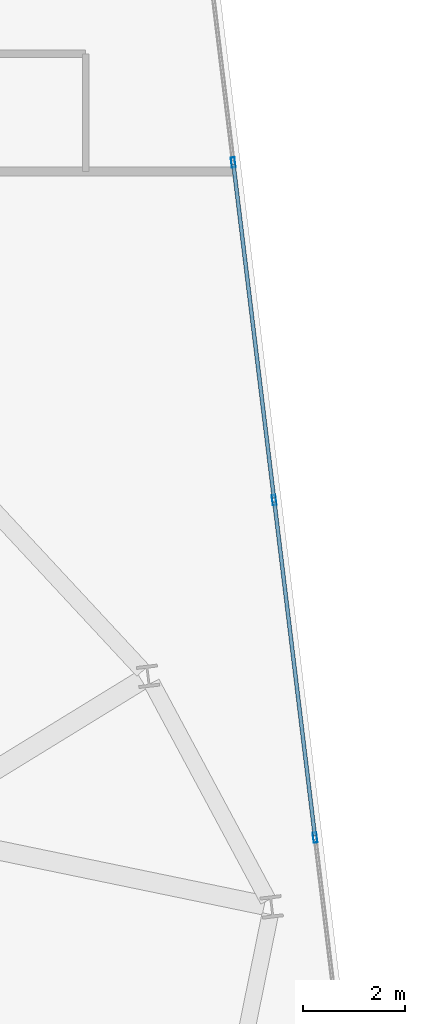
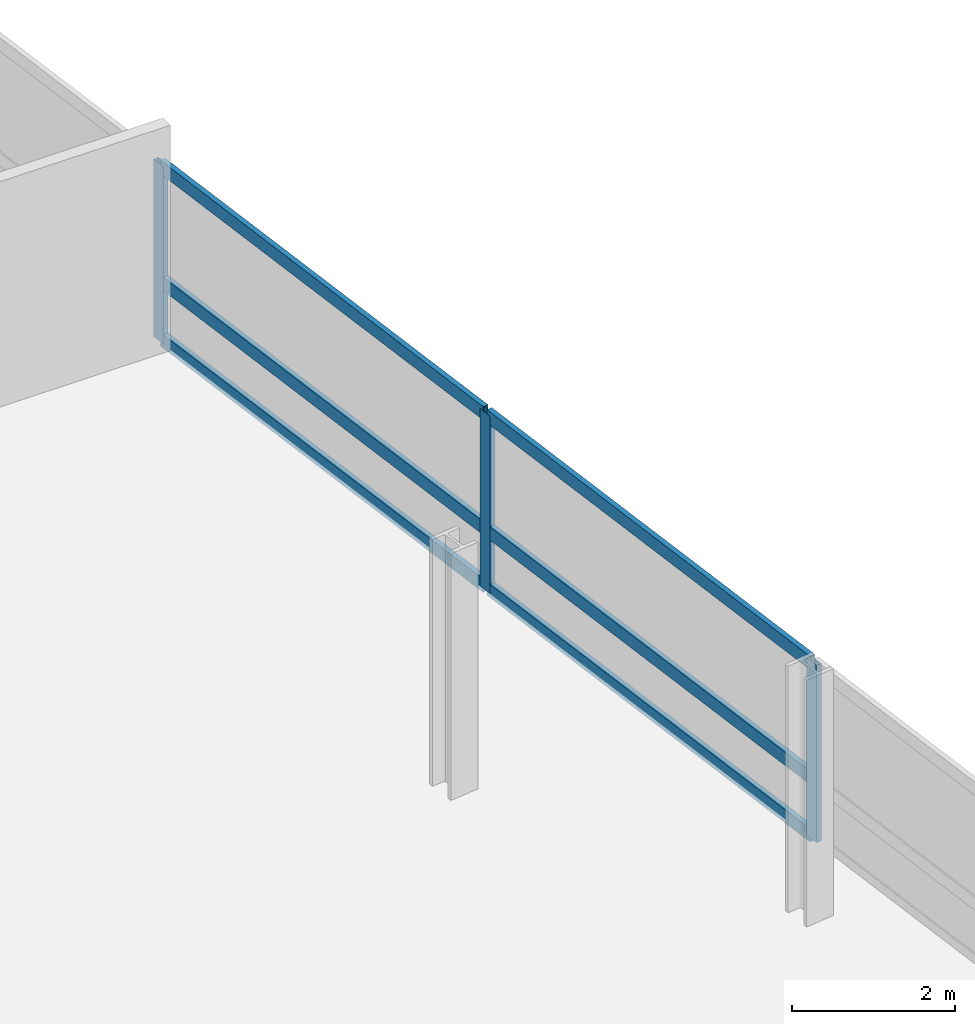
# One storey, part 11 of 22: 9 members, 1 element without a shape of its own.
"""IFC4 building model written with IfcOpenShell, lengths in metres."""

from ifc_helpers import new_model, si_unit, direction, frame, origin, origin_2d, place, context, subcontext, project, spatial, hollow_rectangle, extrude, material, layer, layer_set, material_profile, profile_set, type_object, element, aggregate, save


model = new_model("IFC4")

# Units and contexts
model_context = context("Model", 3, precision=1e-05, world=origin(), true_north=direction((0.0, 1.0)))
body_context = subcontext(model_context, "Body", "Model", "MODEL_VIEW")
ifc_project = project(units=[si_unit("LENGTHUNIT", "METRE"), si_unit("AREAUNIT", "SQUARE_METRE"), si_unit("VOLUMEUNIT", "CUBIC_METRE"), si_unit("PLANEANGLEUNIT", "RADIAN"), si_unit("MASSUNIT", "GRAM", prefix="KILO")], contexts=[model_context])

# Site, building, storey
site_placement = place(None, origin())
site = spatial("IfcSite", under=ifc_project, at=site_placement, CompositionType="ELEMENT")
building_placement = place(site_placement, origin())
building = spatial("IfcBuilding", under=site, at=building_placement, Name="Varnelok Gate Tower", CompositionType="ELEMENT")
storey_placement = place(building_placement, frame((0.0, 0.0, 204.199951171875)))
storey = spatial("IfcBuildingStorey", under=building, at=storey_placement, Name="L52", CompositionType="ELEMENT", Elevation=204.199951171875)

# Curtain wall, members
ifc_material = material(Name="Anodized Aluminum Alloy 6063-T6", Category="aluminium")
ifc_layer = layer(ifc_material, 0.179931640625)
ifc_layer_set = layer_set([ifc_layer], Name="Anodized Aluminum Alloy 6063-T6")
curtain_wall_type = type_object("IfcCurtainWallType", Name="CW4-RESIDENCE-VISION", PredefinedType="USERDEFINED", material=ifc_layer_set)
curtain_wall_placement = place(storey_placement, origin())
curtain_wall = element("IfcCurtainWall", 1, at=curtain_wall_placement, inside=storey, type_object=curtain_wall_type, Name="L52 East End Vision Curtain Wall", ObjectType="UNITISED CURTAIN WALL", PredefinedType="USERDEFINED")
ifc_material_profile_1 = material_profile(ifc_material, hollow_rectangle(XDim=0.074951171875, YDim=0.199951171875, WallThickness=0.00390625, at=origin_2d()), Name="ALU200X75X4")
ifc_profile_set_1 = profile_set([ifc_material_profile_1], Name="Anodized Aluminum Alloy 6063-T6")
member_type_1 = type_object("IfcMemberType", Name="CW-MULL-200", PredefinedType="MULLION", material=ifc_profile_set_1)
member_1_placement = place(storey_placement, frame((72.898681640625, 39.478515625, 0.0), z_axis=(0.0, 0.0, 1.0), x_axis=(0.992732188751, 0.120344511371, 0.0)))
member_1 = element("IfcMember", 2, at=member_1_placement, type_object=member_type_1, Name="CW4 mullion 2", PredefinedType="MULLION", context=body_context, shape_type="SweptSolid", body=[
    extrude(hollow_rectangle(XDim=0.074951171875, YDim=0.199951171875, WallThickness=0.00390625, at=origin_2d()), origin(), (0.0, 0.0, 1.0), 2.66015625),
])
member_2_placement = place(storey_placement, frame((73.702392578125, 32.846923828125, 0.0), z_axis=(0.0, 0.0, 1.0), x_axis=(0.992732188751, 0.120344511371, 0.0)))
member_2 = element("IfcMember", 3, at=member_2_placement, type_object=member_type_1, Name="CW4 mullion 3", PredefinedType="MULLION", context=body_context, shape_type="SweptSolid", body=[
    extrude(hollow_rectangle(XDim=0.074951171875, YDim=0.199951171875, WallThickness=0.00390625, at=origin_2d()), origin(), (0.0, 0.0, 1.0), 2.66015625),
])
member_3_placement = place(storey_placement, frame((74.50634765625, 26.215576171875, 0.0), z_axis=(0.0, 0.0, 1.0), x_axis=(0.992732188751, 0.120344511371, 0.0)))
member_3 = element("IfcMember", 4, at=member_3_placement, type_object=member_type_1, Name="CW4 mullion 4", PredefinedType="MULLION", context=body_context, shape_type="SweptSolid", body=[
    extrude(hollow_rectangle(XDim=0.074951171875, YDim=0.199951171875, WallThickness=0.00390625, at=origin_2d()), origin(), (0.0, 0.0, 1.0), 2.66015625),
])
ifc_material_profile_2 = material_profile(ifc_material, hollow_rectangle(XDim=0.074951171875, YDim=0.199951171875, WallThickness=0.00390625, at=origin_2d()), Name="ALU200X75X4")
ifc_profile_set_2 = profile_set([ifc_material_profile_2], Name="Anodized Aluminum Alloy 6063-T6")
member_type_2 = type_object("IfcMemberType", Name="CW-TRAN-200", PredefinedType="USERDEFINED", material=ifc_profile_set_2)
member_4_placement = place(storey_placement, frame((72.903076171875, 39.441162109375, 0.03759765625), z_axis=(0.120353445289, -0.992731105691, 0.0), x_axis=(0.992731105691, 0.120353445289, 0.0)))
member_4 = element("IfcMember", 5, at=member_4_placement, type_object=member_type_2, Name="CW4 transom 2.1", ObjectType="TRANSOM", PredefinedType="USERDEFINED", context=body_context, shape_type="SweptSolid", body=[
    extrude(hollow_rectangle(XDim=0.074951171875, YDim=0.199951171875, WallThickness=0.00390625, at=origin_2d()), origin(), (0.0, 0.0, 1.0), 6.60498046875),
])
member_5_placement = place(storey_placement, frame((72.903076171875, 39.441162109375, 0.900146484375), z_axis=(0.120353445289, -0.992731105691, 0.0), x_axis=(0.992731105691, 0.120353445289, 0.0)))
member_5 = element("IfcMember", 6, at=member_5_placement, type_object=member_type_2, Name="CW4 transom 2.2", ObjectType="TRANSOM", PredefinedType="USERDEFINED", context=body_context, shape_type="SweptSolid", body=[
    extrude(hollow_rectangle(XDim=0.074951171875, YDim=0.199951171875, WallThickness=0.00390625, at=origin_2d()), origin(), (0.0, 0.0, 1.0), 6.60498046875),
])
member_6_placement = place(storey_placement, frame((72.903076171875, 39.441162109375, 2.62255859375), z_axis=(0.120353445289, -0.992731105691, 0.0), x_axis=(0.992731105691, 0.120353445289, 0.0)))
member_6 = element("IfcMember", 7, at=member_6_placement, type_object=member_type_2, Name="CW4 transom 2.3", ObjectType="TRANSOM", PredefinedType="USERDEFINED", context=body_context, shape_type="SweptSolid", body=[
    extrude(hollow_rectangle(XDim=0.074951171875, YDim=0.199951171875, WallThickness=0.00390625, at=origin_2d()), origin(), (0.0, 0.0, 1.0), 6.60498046875),
])
member_7_placement = place(storey_placement, frame((73.70703125, 32.809814453125, 0.03759765625), z_axis=(0.120349029092, -0.992731641078, 0.0), x_axis=(0.992731641078, 0.120349029092, 0.0)))
member_7 = element("IfcMember", 8, at=member_7_placement, type_object=member_type_2, Name="CW4 transom 3.1", ObjectType="TRANSOM", PredefinedType="USERDEFINED", context=body_context, shape_type="SweptSolid", body=[
    extrude(hollow_rectangle(XDim=0.074951171875, YDim=0.199951171875, WallThickness=0.00390625, at=origin_2d()), origin(), (0.0, 0.0, 1.0), 6.605224609375),
])
member_8_placement = place(storey_placement, frame((73.70703125, 32.809814453125, 0.900146484375), z_axis=(0.120349029092, -0.992731641078, 0.0), x_axis=(0.992731641078, 0.120349029092, 0.0)))
member_8 = element("IfcMember", 9, at=member_8_placement, type_object=member_type_2, Name="CW4 transom 3.2", ObjectType="TRANSOM", PredefinedType="USERDEFINED", context=body_context, shape_type="SweptSolid", body=[
    extrude(hollow_rectangle(XDim=0.074951171875, YDim=0.199951171875, WallThickness=0.00390625, at=origin_2d()), origin(), (0.0, 0.0, 1.0), 6.605224609375),
])
member_9_placement = place(storey_placement, frame((73.70703125, 32.809814453125, 2.62255859375), z_axis=(0.120349029092, -0.992731641078, 0.0), x_axis=(0.992731641078, 0.120349029092, 0.0)))
member_9 = element("IfcMember", 10, at=member_9_placement, type_object=member_type_2, Name="CW4 transom 3.3", ObjectType="TRANSOM", PredefinedType="USERDEFINED", context=body_context, shape_type="SweptSolid", body=[
    extrude(hollow_rectangle(XDim=0.074951171875, YDim=0.199951171875, WallThickness=0.00390625, at=origin_2d()), origin(), (0.0, 0.0, 1.0), 6.605224609375),
])
aggregate(curtain_wall, [member_1, member_2, member_3, member_4, member_5, member_6, member_7, member_8, member_9])

save(model, "model.ifc")
